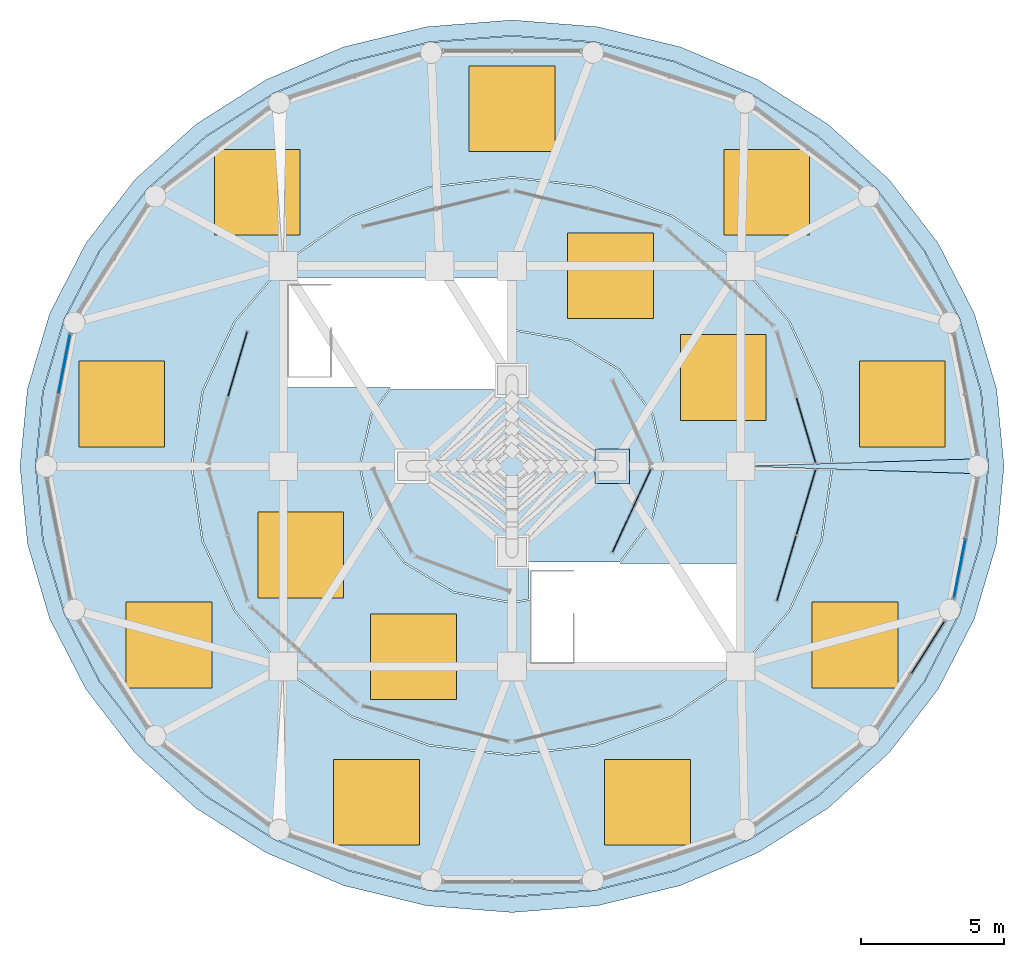
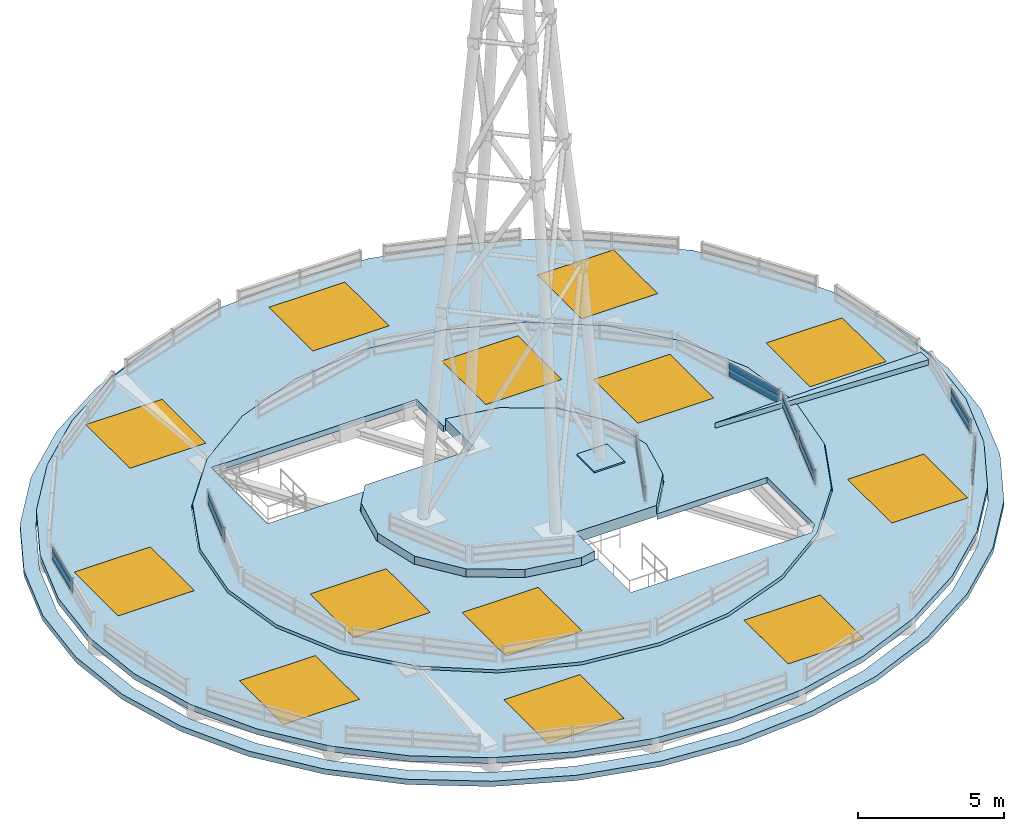
# One storey, part 19 of 21: 17 plates, 13 windows, 5 slabs, 13 openings, 7 elements without a shape of their own.
"""IFC4 building model written with IfcOpenShell, lengths in metres."""

import ifcopenshell
import ifcopenshell.guid

model = None  # the IFC model being written
_history = None  # IfcOwnerHistory: only IFC2X3 demands one
_inside = {}  # id of a spatial element -> (the spatial element, [elements in it])
_under = {}  # id of a project, library or spatial element -> (it, [spatial elements below it])
_declared = {}  # id of a project -> (the project, [libraries it declares])
_typed = {}  # id of a type object -> (the type object, [elements of that type])
_made_of = {}  # id of a material, layer set ... -> (it, [elements and type objects made of it])


def new_model(schema):
    """Start an empty IFC model of exactly this schema.

    Asked for "IFC4X3", IfcOpenShell would pick the latest addendum, in which some entities
    have other attributes; the version numbers below select the first issue.
    IFC2X3 requires an IfcOwnerHistory on every rooted entity: one is made here for all.
    """
    global model, _history
    if schema == "IFC4X3":
        model = ifcopenshell.file(schema_version=(4, 3, 0, 0))
    else:
        model = ifcopenshell.file(schema=schema)
    _inside.clear()
    _under.clear()
    _declared.clear()
    _typed.clear()
    _made_of.clear()
    _history = None
    if model.schema == "IFC2X3":
        org = make("IfcOrganization", Name="unknown")
        user = make(
            "IfcPersonAndOrganization",
            ThePerson=make("IfcPerson", FamilyName="unknown"),
            TheOrganization=org,
        )
        app = make(
            "IfcApplication",
            ApplicationDeveloper=org,
            Version="unknown",
            ApplicationFullName="unknown",
            ApplicationIdentifier="unknown",
        )
        _history = make(
            "IfcOwnerHistory",
            OwningUser=user,
            OwningApplication=app,
            ChangeAction="ADDED",
            CreationDate=0,
        )
    return model


def make(cls, **values):
    """One entity of the class cls with the attributes given. An attribute that is None is left unset."""
    return model.create_entity(
        cls, **{name: value for name, value in values.items() if value is not None}
    )


def rooted(cls, **values):
    """An entity with a GlobalId (a new one), such as an element, a storey or a relation."""
    return make(cls, GlobalId=ifcopenshell.guid.new(), OwnerHistory=_history, **values)


def si_unit(unit_type, name, prefix=None):
    """IfcSIUnit, for example si_unit("LENGTHUNIT", "METRE", prefix="MILLI")."""
    return make("IfcSIUnit", UnitType=unit_type, Prefix=prefix, Name=name)


def assignment(units):
    """IfcUnitAssignment: the units of a project."""
    return None if units is None else make("IfcUnitAssignment", Units=units)


def point(xyz):
    """IfcCartesianPoint."""
    return None if xyz is None else make("IfcCartesianPoint", Coordinates=xyz)


def direction(xyz):
    """IfcDirection."""
    return None if xyz is None else make("IfcDirection", DirectionRatios=xyz)


def frame(location, z_axis=None, x_axis=None):
    """IfcAxis2Placement3D, a coordinate frame: its origin and axes. An axis left out is left unset."""
    return make(
        "IfcAxis2Placement3D",
        Location=point(location),
        Axis=direction(z_axis),
        RefDirection=direction(x_axis),
    )


def frame_2d(location, x_axis=None):
    """IfcAxis2Placement2D, a coordinate frame in the plane: its origin and x axis."""
    return make(
        "IfcAxis2Placement2D", Location=point(location), RefDirection=direction(x_axis)
    )


def origin():
    """The frame at (0, 0, 0) with its axes left unset."""
    return frame((0.0, 0.0, 0.0))


def origin_2d():
    """The frame at (0, 0) in the plane with its x axis left unset."""
    return frame_2d((0.0, 0.0))


def place(relative_to, where):
    """IfcLocalPlacement: puts the frame where relative to a parent placement (None: the world)."""
    return make(
        "IfcLocalPlacement", PlacementRelTo=relative_to, RelativePlacement=where
    )


def context(
    kind, dimensions, precision=None, world=None, true_north=None, identifier=None
):
    """IfcGeometricRepresentationContext, for example the 3D "Model" context."""
    return make(
        "IfcGeometricRepresentationContext",
        ContextIdentifier=identifier,
        ContextType=kind,
        CoordinateSpaceDimension=dimensions,
        Precision=precision,
        WorldCoordinateSystem=world,
        TrueNorth=true_north,
    )


def subcontext(parent, identifier, kind, view, scale=None):
    """IfcGeometricRepresentationSubContext, for example "Body" below "Model"."""
    return make(
        "IfcGeometricRepresentationSubContext",
        ContextIdentifier=identifier,
        ContextType=kind,
        ParentContext=parent,
        TargetScale=scale,
        TargetView=view,
    )


def project(units=None, contexts=None):
    """IfcProject with its units and contexts."""
    return rooted(
        "IfcProject",
        Name="project",
        RepresentationContexts=contexts,
        UnitsInContext=assignment(units),
    )


def spatial(cls, under=None, at=None, **own):
    """A site, building, storey or space (cls), placed at a placement, below another one or the project."""
    s = rooted(cls, ObjectPlacement=at, **own)
    if under is not None:
        _under.setdefault(under.id(), (under, []))[1].append(s)
    return s


def polyline(points):
    """IfcPolyline through the points."""
    return make("IfcPolyline", Points=[point(p) for p in points])


def profile(cls, at=None, kind="AREA", **sizes):
    """A parametric profile (cls). Its sizes go by their IFC names, for example OverallWidth=200.0."""
    return make(cls, ProfileType=kind, Position=at, **sizes)


def rectangle(**sizes):
    """IfcRectangleProfileDef."""
    return profile("IfcRectangleProfileDef", **sizes)


def outline(outer, holes=None, kind="AREA"):
    """IfcArbitraryClosedProfileDef: a profile drawn as a closed curve; with holes, ...WithVoids."""
    if holes is None:
        return make("IfcArbitraryClosedProfileDef", ProfileType=kind, OuterCurve=outer)
    return make(
        "IfcArbitraryProfileDefWithVoids",
        ProfileType=kind,
        OuterCurve=outer,
        InnerCurves=holes,
    )


def extrude(swept, where, along, depth):
    """IfcExtrudedAreaSolid: the profile swept, set in the frame where, extruded along a direction by depth."""
    return make(
        "IfcExtrudedAreaSolid",
        SweptArea=swept,
        Position=where,
        ExtrudedDirection=direction(along),
        Depth=depth,
    )


def shape(context_of_items, identifier, shape_type, items):
    """IfcShapeRepresentation: the items that make up one representation, for example the "Body"."""
    return make(
        "IfcShapeRepresentation",
        ContextOfItems=context_of_items,
        RepresentationIdentifier=identifier,
        RepresentationType=shape_type,
        Items=items,
    )


def source(mapping_origin, context_of_items, identifier, shape_type, items):
    """IfcRepresentationMap: a shape defined once, which mapped items show again and again."""
    return make(
        "IfcRepresentationMap",
        MappingOrigin=mapping_origin,
        MappedRepresentation=shape(context_of_items, identifier, shape_type, items),
    )


def transform(
    local_origin,
    x_axis=None,
    y_axis=None,
    z_axis=None,
    scale=None,
    scale2=None,
    scale3=None,
    uniform=True,
):
    """IfcCartesianTransformationOperator3D, or its non-uniform kind. x_axis, y_axis, z_axis: its Axis1, 2, 3."""
    if uniform:
        return make(
            "IfcCartesianTransformationOperator3D",
            Axis1=direction(x_axis),
            Axis2=direction(y_axis),
            LocalOrigin=point(local_origin),
            Scale=scale,
            Axis3=direction(z_axis),
        )
    return make(
        "IfcCartesianTransformationOperator3DnonUniform",
        Axis1=direction(x_axis),
        Axis2=direction(y_axis),
        LocalOrigin=point(local_origin),
        Scale=scale,
        Axis3=direction(z_axis),
        Scale2=scale2,
        Scale3=scale3,
    )


def mapped(mapping_source, mapping_target):
    """IfcMappedItem: shows the shape of a source again, moved by a transform."""
    return make(
        "IfcMappedItem", MappingSource=mapping_source, MappingTarget=mapping_target
    )


def material(Name=None, Category=None):
    """IfcMaterial."""
    return make("IfcMaterial", Name=Name, Category=Category)


def layer(
    of_material, thickness, ventilated=None, Name=None, Category=None, Priority=None
):
    """IfcMaterialLayer: one layer of a wall or slab, of a material (None: an air gap)."""
    return make(
        "IfcMaterialLayer",
        Material=of_material,
        LayerThickness=thickness,
        IsVentilated=ventilated,
        Name=Name,
        Category=Category,
        Priority=Priority,
    )


def layer_set(layers, Name=None):
    """IfcMaterialLayerSet."""
    return make("IfcMaterialLayerSet", MaterialLayers=layers, LayerSetName=Name)


def made_of(thing, what):
    """Note that an element or type object is made of a material, layer set ...; save() writes the relation."""
    if what is not None:
        _made_of.setdefault(what.id(), (what, []))[1].append(thing)
    return thing


def type_object(cls, material=None, **own):
    """A type object (cls), such as IfcWallType, which elements share."""
    return made_of(rooted(cls, **own), material)


def element(
    cls,
    number,
    at=None,
    inside=None,
    cuts=None,
    type_object=None,
    material=None,
    context=None,
    identifier="Body",
    shape_type=None,
    held_by="IfcProductDefinitionShape",
    body=None,
    shapes=None,
    **own,
):
    """One element of the class cls, such as IfcWall. Its Tag is "e" and its number.

    at: its placement. inside: the storey or other place that contains it. cuts: it is an
    opening in that element (IfcRelVoidsElement). A single representation is given by context,
    identifier, shape_type and body (its items); several are given by shapes. held_by: the class
    of the entity that holds the representations. save() writes the other relations.
    """
    e = rooted(cls, Tag="e%d" % number, ObjectPlacement=at, **own)
    if body is not None:
        shapes = [shape(context, identifier, shape_type, body)]
    if shapes is not None:
        e.Representation = make(held_by, Representations=shapes)
    if inside is not None:
        _inside.setdefault(inside.id(), (inside, []))[1].append(e)
    if cuts is not None:
        rooted(
            "IfcRelVoidsElement", RelatingBuildingElement=cuts, RelatedOpeningElement=e
        )
    if type_object is not None:
        _typed.setdefault(type_object.id(), (type_object, []))[1].append(e)
    return made_of(e, material)


def fill(opening, filler):
    """IfcRelFillsElement: the door or window that sits in an opening."""
    return rooted(
        "IfcRelFillsElement",
        RelatingOpeningElement=opening,
        RelatedBuildingElement=filler,
    )


def aggregate(whole, parts):
    """IfcRelAggregates: a whole, such as a stair, and the parts it consists of."""
    return rooted("IfcRelAggregates", RelatingObject=whole, RelatedObjects=parts)


def save(model, path):
    """Write the relations noted so far, then the file.

    IfcRelAggregates (storeys below a building ...), IfcRelContainedInSpatialStructure (elements
    in a storey), IfcRelDefinesByType, IfcRelAssociatesMaterial and IfcRelDeclares: one each for
    every whole, place, type object, material and project.
    """
    for whole, parts in _under.values():
        aggregate(whole, parts)
    for where, things in _inside.values():
        rooted(
            "IfcRelContainedInSpatialStructure",
            RelatedElements=things,
            RelatingStructure=where,
        )
    for kind, things in _typed.values():
        rooted("IfcRelDefinesByType", RelatedObjects=things, RelatingType=kind)
    for what, things in _made_of.values():
        rooted("IfcRelAssociatesMaterial", RelatedObjects=things, RelatingMaterial=what)
    for by, libraries in _declared.values():
        rooted("IfcRelDeclares", RelatingContext=by, RelatedDefinitions=libraries)
    model.write(path)


model = new_model("IFC4")

# Units and contexts
model_context = context("Model", 3, precision=1e-05, world=origin(), true_north=direction((0.0, 1.0)))
body_context = subcontext(model_context, "Body", "Model", "MODEL_VIEW")
ifc_project = project(units=[si_unit("LENGTHUNIT", "METRE"), si_unit("AREAUNIT", "SQUARE_METRE"), si_unit("VOLUMEUNIT", "CUBIC_METRE"), si_unit("PLANEANGLEUNIT", "RADIAN"), si_unit("MASSUNIT", "GRAM", prefix="KILO")], contexts=[model_context])

# Site, building, storey
site_placement = place(None, origin())
site = spatial("IfcSite", under=ifc_project, at=site_placement, CompositionType="ELEMENT")
building_placement = place(site_placement, origin())
building = spatial("IfcBuilding", under=site, at=building_placement, Name="Kelanora Arch Commons", CompositionType="ELEMENT")
storey_placement = place(building_placement, frame((0.0, 0.0, 311.10009765625)))
storey = spatial("IfcBuildingStorey", under=building, at=storey_placement, Name="RF", CompositionType="ELEMENT", Elevation=311.10009765625)

# Slabs
ifc_material_1 = material(Name="Concrete C40/50", Category="concrete")
ifc_layer_1 = layer(ifc_material_1, 0.219970703125)
ifc_layer_set_1 = layer_set([ifc_layer_1], Name="Concrete C40/50")
slab_type_1 = type_object("IfcSlabType", Name="SLB-DRUM-SLOPE", PredefinedType="ROOF", material=ifc_layer_set_1)
slab_1_placement = place(storey_placement, frame((90.280029296875, 58.260009765625, 0.829833984375), z_axis=(0.012088162865, 0.0, 0.99992693549), x_axis=(0.0, -1.0, 0.0)))
element("IfcSlab", 1, at=slab_1_placement, inside=storey, type_object=slab_type_1, Name="Sloped Crown Hip Rib 01A", PredefinedType="ROOF", context=body_context, shape_type="SweptSolid", body=[
    extrude(outline(polyline([(0.0, 0.0), (0.52001953125, 0.0), (0.260009765625, -8.280634317363317), (0.0, 0.0)])), origin(), (0.0, 0.0, -1.0), 0.219970703125),
])
ifc_material_2 = material(Name="Concrete C50/60", Category="concrete")
ifc_layer_2 = layer(ifc_material_2, 0.449951171875)
ifc_layer_set_2 = layer_set([ifc_layer_2], Name="Concrete C50/60")
slab_type_2 = type_object("IfcSlabType", Name="SLB-MAST-CAP", PredefinedType="ROOF", material=ifc_layer_set_2)
slab_2_placement = place(storey_placement, frame((0.0, 0.0, 0.5498046875)))
element("IfcSlab", 2, at=slab_2_placement, inside=storey, type_object=slab_type_2, Name="Crown Mast Collar Cap Slab", PredefinedType="ROOF", context=body_context, shape_type="SweptSolid", body=[
    extrude(outline(polyline([(77.747802734375, 61.35888671875), (76.0283203125, 62.388427734375), (74.110107421875, 62.73046875), (74.110107421875, 60.68994140625), (69.753662109375, 60.68994140625), (69.103515625, 59.817626953125), (68.699951171875, 58.0), (69.103515625, 56.182373046875), (70.252197265625, 54.64111328125), (71.9716796875, 53.611572265625), (74.0, 53.25), (74.590087890625, 53.355224609375), (74.590087890625, 54.659912109375), (77.76171875, 54.659912109375), (78.896484375, 56.182373046875), (79.300048828125, 58.0), (78.896484375, 59.817626953125), (77.747802734375, 61.35888671875)])), origin(), (0.0, 0.0, 1.0), 0.4501953125),
])
ifc_layer_3 = layer(ifc_material_1, 0.239990234375)
ifc_layer_set_3 = layer_set([ifc_layer_3], Name="Concrete C40/50")
slab_type_3 = type_object("IfcSlabType", Name="SLB-MKT-ROOF", PredefinedType="ROOF", material=ifc_layer_set_3)
slab_3_placement = place(storey_placement, frame((0.0, 0.0, -0.22021484375)))
element("IfcSlab", 3, at=slab_3_placement, inside=storey, type_object=slab_type_3, Name="Crown Eaves Lantern Sill Ring", PredefinedType="ROOF", context=body_context, shape_type="SweptSolid", body=[
    extrude(outline(polyline([(91.199951171875, 58.0), (90.938720703125, 60.708984375), (90.16259765625, 63.33544921875), (88.8955078125, 65.800048828125), (87.176025390625, 68.027587890625), (85.055908203125, 69.9501953125), (82.60009765625, 71.510009765625), (79.8828125, 72.6591796875), (76.98681640625, 73.363037109375), (74.0, 73.60009765625), (71.01318359375, 73.363037109375), (68.1171875, 72.6591796875), (65.39990234375, 71.510009765625), (62.944091796875, 69.9501953125), (60.823974609375, 68.027587890625), (59.1044921875, 65.800048828125), (57.83740234375, 63.33544921875), (57.061279296875, 60.708984375), (56.800048828125, 58.0), (57.061279296875, 55.291015625), (57.83740234375, 52.66455078125), (59.1044921875, 50.199951171875), (60.823974609375, 47.972412109375), (62.944091796875, 46.0498046875), (65.39990234375, 44.489990234375), (68.1171875, 43.3408203125), (71.01318359375, 42.636962890625), (74.0, 42.39990234375), (76.98681640625, 42.636962890625), (79.8828125, 43.3408203125), (82.60009765625, 44.489990234375), (85.055908203125, 46.0498046875), (87.176025390625, 47.972412109375), (88.8955078125, 50.199951171875), (90.16259765625, 52.66455078125), (90.938720703125, 55.291015625), (91.199951171875, 58.0)]), holes=[polyline([(90.406982421875, 55.385009765625), (89.6552734375, 52.84912109375), (88.427978515625, 50.469970703125), (86.76220703125, 48.319580078125), (84.708740234375, 46.46337890625), (82.330078125, 44.957763671875), (79.697998046875, 43.84814453125), (76.89306640625, 43.168701171875), (74.0, 42.93994140625), (71.10693359375, 43.168701171875), (68.302001953125, 43.84814453125), (65.669921875, 44.957763671875), (63.291259765625, 46.46337890625), (61.23779296875, 48.319580078125), (59.572021484375, 50.469970703125), (58.3447265625, 52.84912109375), (57.593017578125, 55.385009765625), (57.340087890625, 58.0), (57.593017578125, 60.614990234375), (58.3447265625, 63.15087890625), (59.572021484375, 65.530029296875), (61.23779296875, 67.680419921875), (63.291259765625, 69.53662109375), (65.669921875, 71.042236328125), (68.302001953125, 72.15185546875), (71.10693359375, 72.831298828125), (74.0, 73.06005859375), (76.89306640625, 72.831298828125), (79.697998046875, 72.15185546875), (82.330078125, 71.042236328125), (84.708740234375, 69.53662109375), (86.76220703125, 67.680419921875), (88.427978515625, 65.530029296875), (89.6552734375, 63.15087890625), (90.406982421875, 60.614990234375), (90.659912109375, 58.0), (90.406982421875, 55.385009765625)])]), origin(), (0.0, 0.0, 1.0), 0.22021484375),
])

# Slab, openings, windows
slab_4_placement = place(storey_placement, frame((0.0, 0.0, 0.349853515625)))
slab_4 = element("IfcSlab", 4, at=slab_4_placement, inside=storey, type_object=slab_type_3, Name="Crown Lower Stepped Skylight Roof Ring", PredefinedType="ROOF", context=body_context, shape_type="SweptSolid", body=[
    extrude(outline(polyline([(90.639892578125, 58.0), (90.38720703125, 60.61181640625), (89.636474609375, 63.14404296875), (88.41064453125, 65.52001953125), (86.7470703125, 67.66748046875), (84.696044921875, 69.521240234375), (82.320068359375, 71.02490234375), (79.691162109375, 72.133056640625), (76.889404296875, 72.8115234375), (74.0, 73.0400390625), (71.110595703125, 72.8115234375), (68.308837890625, 72.133056640625), (65.679931640625, 71.02490234375), (63.303955078125, 69.521240234375), (61.2529296875, 67.66748046875), (59.58935546875, 65.52001953125), (58.363525390625, 63.14404296875), (57.61279296875, 60.61181640625), (57.360107421875, 58.0), (57.61279296875, 55.38818359375), (58.363525390625, 52.85595703125), (59.58935546875, 50.47998046875), (61.2529296875, 48.33251953125), (63.303955078125, 46.478759765625), (65.679931640625, 44.97509765625), (68.308837890625, 43.866943359375), (71.110595703125, 43.1884765625), (74.0, 42.9599609375), (76.889404296875, 43.1884765625), (79.691162109375, 43.866943359375), (82.320068359375, 44.97509765625), (84.696044921875, 46.478759765625), (86.7470703125, 48.33251953125), (88.41064453125, 50.47998046875), (89.636474609375, 52.85595703125), (90.38720703125, 55.38818359375), (90.639892578125, 58.0)]), holes=[polyline([(82.10009765625, 51.0), (82.06640625, 51.0), (81.93359375, 50.843994140625), (79.610107421875, 49.23583984375), (76.90380859375, 48.224853515625), (74.0, 47.8798828125), (71.09619140625, 48.224853515625), (68.389892578125, 49.23583984375), (66.06640625, 50.843994140625), (64.283203125, 52.93994140625), (63.162353515625, 55.380859375), (62.780029296875, 58.0), (63.162353515625, 60.619140625), (64.283203125, 63.06005859375), (66.06640625, 65.156005859375), (68.389892578125, 66.76416015625), (71.09619140625, 67.775146484375), (74.0, 68.1201171875), (76.90380859375, 67.775146484375), (79.610107421875, 66.76416015625), (81.93359375, 65.156005859375), (83.716796875, 63.06005859375), (84.837646484375, 60.619140625), (85.219970703125, 58.0), (84.837646484375, 55.380859375), (83.716796875, 52.93994140625), (82.10009765625, 51.03955078125), (82.10009765625, 51.0)])]), origin(), (0.0, 0.0, 1.0), 0.239990234375),
])
opening_1_placement = place(slab_4_placement, frame((87.639892578125, 60.1708984375, 0.0)))
opening_1 = element("IfcOpeningElement", 5, at=opening_1_placement, cuts=slab_4, Name="Opening WS-01", PredefinedType="OPENING", context=body_context, shape_type="SweptSolid", body=[
    extrude(rectangle(XDim=3.0, YDim=3.0, at=origin_2d()), frame((0.0, 0.0, -0.010009765625)), (0.0, 0.0, 1.0), 0.260009765625),
])
opening_2_placement = place(slab_4_placement, frame((82.903076171875, 67.575927734375, 0.0)))
opening_2 = element("IfcOpeningElement", 6, at=opening_2_placement, cuts=slab_4, Name="Opening WS-01", PredefinedType="OPENING", context=body_context, shape_type="SweptSolid", body=[
    extrude(rectangle(XDim=3.0, YDim=3.0, at=origin_2d()), frame((0.0, 0.0, -0.010009765625)), (0.0, 0.0, 1.0), 0.260009765625),
])
opening_3_placement = place(slab_4_placement, frame((74.0, 70.5, 0.0)))
opening_3 = element("IfcOpeningElement", 7, at=opening_3_placement, cuts=slab_4, Name="Opening WS-01", PredefinedType="OPENING", context=body_context, shape_type="SweptSolid", body=[
    extrude(rectangle(XDim=3.0, YDim=3.0, at=origin_2d()), frame((0.0, 0.0, -0.010009765625)), (0.0, 0.0, 1.0), 0.260009765625),
])
opening_4_placement = place(slab_4_placement, frame((65.096923828125, 67.575927734375, 0.0)))
opening_4 = element("IfcOpeningElement", 8, at=opening_4_placement, cuts=slab_4, Name="Opening WS-01", PredefinedType="OPENING", context=body_context, shape_type="SweptSolid", body=[
    extrude(rectangle(XDim=3.0, YDim=3.0, at=origin_2d()), frame((0.0, 0.0, -0.010009765625)), (0.0, 0.0, 1.0), 0.260009765625),
])
opening_5_placement = place(slab_4_placement, frame((60.360107421875, 60.1708984375, 0.0)))
opening_5 = element("IfcOpeningElement", 9, at=opening_5_placement, cuts=slab_4, Name="Opening WS-01", PredefinedType="OPENING", context=body_context, shape_type="SweptSolid", body=[
    extrude(rectangle(XDim=3.0, YDim=3.0, at=origin_2d()), frame((0.0, 0.0, -0.010009765625)), (0.0, 0.0, 1.0), 0.260009765625),
])
opening_6_placement = place(slab_4_placement, frame((62.006103515625, 51.75, 0.0)))
opening_6 = element("IfcOpeningElement", 10, at=opening_6_placement, cuts=slab_4, Name="Opening WS-01", PredefinedType="OPENING", context=body_context, shape_type="SweptSolid", body=[
    extrude(rectangle(XDim=3.0, YDim=3.0, at=origin_2d()), frame((0.0, 0.0, -0.010009765625)), (0.0, 0.0, 1.0), 0.260009765625),
])
opening_7_placement = place(slab_4_placement, frame((69.262939453125, 46.25390625, 0.0)))
opening_7 = element("IfcOpeningElement", 11, at=opening_7_placement, cuts=slab_4, Name="Opening WS-01", PredefinedType="OPENING", context=body_context, shape_type="SweptSolid", body=[
    extrude(rectangle(XDim=3.0, YDim=3.0, at=origin_2d()), frame((0.0, 0.0, -0.010009765625)), (0.0, 0.0, 1.0), 0.260009765625),
])
opening_8_placement = place(slab_4_placement, frame((78.737060546875, 46.25390625, 0.0)))
opening_8 = element("IfcOpeningElement", 12, at=opening_8_placement, cuts=slab_4, Name="Opening WS-01", PredefinedType="OPENING", context=body_context, shape_type="SweptSolid", body=[
    extrude(rectangle(XDim=3.0, YDim=3.0, at=origin_2d()), frame((0.0, 0.0, -0.010009765625)), (0.0, 0.0, 1.0), 0.260009765625),
])
opening_9_placement = place(slab_4_placement, frame((85.993896484375, 51.75, 0.0)))
opening_9 = element("IfcOpeningElement", 13, at=opening_9_placement, cuts=slab_4, Name="Opening WS-01", PredefinedType="OPENING", context=body_context, shape_type="SweptSolid", body=[
    extrude(rectangle(XDim=3.0, YDim=3.0, at=origin_2d()), frame((0.0, 0.0, -0.010009765625)), (0.0, 0.0, 1.0), 0.260009765625),
])
ifc_material_3 = material(Name="Laminated solar-control glass skylight", Category="glass")
window_type = type_object("IfcWindowType", Name="WIN-SKY-30", PartitioningType="SINGLE_PANEL", PredefinedType="SKYLIGHT", material=ifc_material_3)
window_1_placement = place(opening_1_placement, frame((0.0, 0.0, 0.18994140625)))
window_1 = element("IfcWindow", 14, at=window_1_placement, inside=storey, type_object=window_type, Name="Crown Glass Roof Lower Skylight 01", OverallHeight=3.0, OverallWidth=3.0, PartitioningType="SINGLE_PANEL", PredefinedType="SKYLIGHT", context=body_context, shape_type="SweptSolid", body=[
    extrude(rectangle(XDim=3.0, YDim=3.0, at=origin_2d()), origin(), (0.0, 0.0, 1.0), 0.050048828125),
])
fill(opening_1, window_1)
window_2_placement = place(opening_2_placement, frame((0.0, 0.0, 0.18994140625)))
window_2 = element("IfcWindow", 15, at=window_2_placement, inside=storey, type_object=window_type, Name="Crown Glass Roof Lower Skylight 02", OverallHeight=3.0, OverallWidth=3.0, PartitioningType="SINGLE_PANEL", PredefinedType="SKYLIGHT", context=body_context, shape_type="SweptSolid", body=[
    extrude(rectangle(XDim=3.0, YDim=3.0, at=origin_2d()), origin(), (0.0, 0.0, 1.0), 0.050048828125),
])
fill(opening_2, window_2)
window_3_placement = place(opening_3_placement, frame((0.0, 0.0, 0.18994140625)))
window_3 = element("IfcWindow", 16, at=window_3_placement, inside=storey, type_object=window_type, Name="Crown Glass Roof Lower Skylight 03", OverallHeight=3.0, OverallWidth=3.0, PartitioningType="SINGLE_PANEL", PredefinedType="SKYLIGHT", context=body_context, shape_type="SweptSolid", body=[
    extrude(rectangle(XDim=3.0, YDim=3.0, at=origin_2d()), origin(), (0.0, 0.0, 1.0), 0.050048828125),
])
fill(opening_3, window_3)
window_4_placement = place(opening_4_placement, frame((0.0, 0.0, 0.18994140625)))
window_4 = element("IfcWindow", 17, at=window_4_placement, inside=storey, type_object=window_type, Name="Crown Glass Roof Lower Skylight 04", OverallHeight=3.0, OverallWidth=3.0, PartitioningType="SINGLE_PANEL", PredefinedType="SKYLIGHT", context=body_context, shape_type="SweptSolid", body=[
    extrude(rectangle(XDim=3.0, YDim=3.0, at=origin_2d()), origin(), (0.0, 0.0, 1.0), 0.050048828125),
])
fill(opening_4, window_4)
window_5_placement = place(opening_5_placement, frame((0.0, 0.0, 0.18994140625)))
window_5 = element("IfcWindow", 18, at=window_5_placement, inside=storey, type_object=window_type, Name="Crown Glass Roof Lower Skylight 05", OverallHeight=3.0, OverallWidth=3.0, PartitioningType="SINGLE_PANEL", PredefinedType="SKYLIGHT", context=body_context, shape_type="SweptSolid", body=[
    extrude(rectangle(XDim=3.0, YDim=3.0, at=origin_2d()), origin(), (0.0, 0.0, 1.0), 0.050048828125),
])
fill(opening_5, window_5)
window_6_placement = place(opening_6_placement, frame((0.0, 0.0, 0.18994140625)))
window_6 = element("IfcWindow", 19, at=window_6_placement, inside=storey, type_object=window_type, Name="Crown Glass Roof Lower Skylight 06", OverallHeight=3.0, OverallWidth=3.0, PartitioningType="SINGLE_PANEL", PredefinedType="SKYLIGHT", context=body_context, shape_type="SweptSolid", body=[
    extrude(rectangle(XDim=3.0, YDim=3.0, at=origin_2d()), origin(), (0.0, 0.0, 1.0), 0.050048828125),
])
fill(opening_6, window_6)
window_7_placement = place(opening_7_placement, frame((0.0, 0.0, 0.18994140625)))
window_7 = element("IfcWindow", 20, at=window_7_placement, inside=storey, type_object=window_type, Name="Crown Glass Roof Lower Skylight 07", OverallHeight=3.0, OverallWidth=3.0, PartitioningType="SINGLE_PANEL", PredefinedType="SKYLIGHT", context=body_context, shape_type="SweptSolid", body=[
    extrude(rectangle(XDim=3.0, YDim=3.0, at=origin_2d()), origin(), (0.0, 0.0, 1.0), 0.050048828125),
])
fill(opening_7, window_7)
window_8_placement = place(opening_8_placement, frame((0.0, 0.0, 0.18994140625)))
window_8 = element("IfcWindow", 21, at=window_8_placement, inside=storey, type_object=window_type, Name="Crown Glass Roof Lower Skylight 08", OverallHeight=3.0, OverallWidth=3.0, PartitioningType="SINGLE_PANEL", PredefinedType="SKYLIGHT", context=body_context, shape_type="SweptSolid", body=[
    extrude(rectangle(XDim=3.0, YDim=3.0, at=origin_2d()), origin(), (0.0, 0.0, 1.0), 0.050048828125),
])
fill(opening_8, window_8)
window_9_placement = place(opening_9_placement, frame((0.0, 0.0, 0.18994140625)))
window_9 = element("IfcWindow", 22, at=window_9_placement, inside=storey, type_object=window_type, Name="Crown Glass Roof Lower Skylight 09", OverallHeight=3.0, OverallWidth=3.0, PartitioningType="SINGLE_PANEL", PredefinedType="SKYLIGHT", context=body_context, shape_type="SweptSolid", body=[
    extrude(rectangle(XDim=3.0, YDim=3.0, at=origin_2d()), origin(), (0.0, 0.0, 1.0), 0.050048828125),
])
fill(opening_9, window_9)

slab_5_placement = place(storey_placement, frame((0.0, 0.0, 0.449951171875)))
slab_5 = element("IfcSlab", 23, at=slab_5_placement, inside=storey, type_object=slab_type_3, Name="Crown Upper Stepped Skylight Collar Deck", PredefinedType="ROOF", context=body_context, shape_type="SweptSolid", body=[
    extrude(outline(polyline([(85.179931640625, 58.0), (84.799072265625, 60.60888671875), (83.68212890625, 63.0400390625), (81.905517578125, 65.127685546875), (79.590087890625, 66.7294921875), (76.8935546875, 67.736572265625), (74.0, 68.080078125), (71.1064453125, 67.736572265625), (68.409912109375, 66.7294921875), (66.094482421875, 65.127685546875), (64.31787109375, 63.0400390625), (63.200927734375, 60.60888671875), (62.820068359375, 58.0), (63.200927734375, 55.39111328125), (64.31787109375, 52.9599609375), (66.094482421875, 50.872314453125), (68.409912109375, 49.2705078125), (71.1064453125, 48.263427734375), (74.0, 47.919921875), (76.8935546875, 48.263427734375), (79.590087890625, 49.2705078125), (81.905517578125, 50.872314453125), (83.68212890625, 52.9599609375), (84.799072265625, 55.39111328125), (85.179931640625, 58.0)]), holes=[polyline([(74.64990234375, 53.325927734375), (74.0, 53.2099609375), (71.95654296875, 53.57470703125), (70.22412109375, 54.613037109375), (69.06640625, 56.1669921875), (68.659912109375, 58.0), (69.06640625, 59.8330078125), (69.74951171875, 60.75), (65.949951171875, 60.75), (65.949951171875, 64.60009765625), (74.050048828125, 64.60009765625), (74.050048828125, 62.781005859375), (76.04345703125, 62.42529296875), (77.77587890625, 61.386962890625), (78.93359375, 59.8330078125), (79.340087890625, 58.0), (78.93359375, 56.1669921875), (77.77587890625, 54.613037109375), (77.75439453125, 54.60009765625), (82.10009765625, 54.60009765625), (82.10009765625, 51.378662109375), (81.78369140625, 51.007080078125), (81.773681640625, 51.0), (74.64990234375, 51.0), (74.64990234375, 53.325927734375)])]), origin(), (0.0, 0.0, 1.0), 0.239990234375),
])
opening_10_placement = place(slab_5_placement, frame((81.385986328125, 61.10595703125, 0.0)))
opening_10 = element("IfcOpeningElement", 24, at=opening_10_placement, cuts=slab_5, Name="Opening WS-01", PredefinedType="OPENING", context=body_context, shape_type="SweptSolid", body=[
    extrude(rectangle(XDim=3.0, YDim=3.0, at=origin_2d()), frame((0.0, 0.0, -0.010009765625)), (0.0, 0.0, 1.0), 0.260009765625),
])
opening_11_placement = place(slab_5_placement, frame((77.444091796875, 64.660888671875, 0.0)))
opening_11 = element("IfcOpeningElement", 25, at=opening_11_placement, cuts=slab_5, Name="Opening WS-01", PredefinedType="OPENING", context=body_context, shape_type="SweptSolid", body=[
    extrude(rectangle(XDim=3.0, YDim=3.0, at=origin_2d()), frame((0.0, 0.0, -0.010009765625)), (0.0, 0.0, 1.0), 0.260009765625),
])
opening_12_placement = place(slab_5_placement, frame((66.614013671875, 54.89404296875, 0.0)))
opening_12 = element("IfcOpeningElement", 26, at=opening_12_placement, cuts=slab_5, Name="Opening WS-01", PredefinedType="OPENING", context=body_context, shape_type="SweptSolid", body=[
    extrude(rectangle(XDim=3.0, YDim=3.0, at=origin_2d()), frame((0.0, 0.0, -0.010009765625)), (0.0, 0.0, 1.0), 0.260009765625),
])
opening_13_placement = place(slab_5_placement, frame((70.555908203125, 51.339111328125, 0.0)))
opening_13 = element("IfcOpeningElement", 27, at=opening_13_placement, cuts=slab_5, Name="Opening WS-01", PredefinedType="OPENING", context=body_context, shape_type="SweptSolid", body=[
    extrude(rectangle(XDim=3.0, YDim=3.0, at=origin_2d()), frame((0.0, 0.0, -0.010009765625)), (0.0, 0.0, 1.0), 0.260009765625),
])
window_10_placement = place(opening_10_placement, frame((0.0, 0.0, 0.18994140625)))
window_10 = element("IfcWindow", 28, at=window_10_placement, inside=storey, type_object=window_type, Name="Crown Glass Roof Upper Skylight 01", OverallHeight=3.0, OverallWidth=3.0, PartitioningType="SINGLE_PANEL", PredefinedType="SKYLIGHT", context=body_context, shape_type="SweptSolid", body=[
    extrude(rectangle(XDim=3.0, YDim=3.0, at=origin_2d()), origin(), (0.0, 0.0, 1.0), 0.050048828125),
])
fill(opening_10, window_10)
window_11_placement = place(opening_11_placement, frame((0.0, 0.0, 0.18994140625)))
window_11 = element("IfcWindow", 29, at=window_11_placement, inside=storey, type_object=window_type, Name="Crown Glass Roof Upper Skylight 02", OverallHeight=3.0, OverallWidth=3.0, PartitioningType="SINGLE_PANEL", PredefinedType="SKYLIGHT", context=body_context, shape_type="SweptSolid", body=[
    extrude(rectangle(XDim=3.0, YDim=3.0, at=origin_2d()), origin(), (0.0, 0.0, 1.0), 0.050048828125),
])
fill(opening_11, window_11)
window_12_placement = place(opening_12_placement, frame((0.0, 0.0, 0.18994140625)))
window_12 = element("IfcWindow", 30, at=window_12_placement, inside=storey, type_object=window_type, Name="Crown Glass Roof Upper Skylight 03", OverallHeight=3.0, OverallWidth=3.0, PartitioningType="SINGLE_PANEL", PredefinedType="SKYLIGHT", context=body_context, shape_type="SweptSolid", body=[
    extrude(rectangle(XDim=3.0, YDim=3.0, at=origin_2d()), origin(), (0.0, 0.0, 1.0), 0.050048828125),
])
fill(opening_12, window_12)
window_13_placement = place(opening_13_placement, frame((0.0, 0.0, 0.18994140625)))
window_13 = element("IfcWindow", 31, at=window_13_placement, inside=storey, type_object=window_type, Name="Crown Glass Roof Upper Skylight 04", OverallHeight=3.0, OverallWidth=3.0, PartitioningType="SINGLE_PANEL", PredefinedType="SKYLIGHT", context=body_context, shape_type="SweptSolid", body=[
    extrude(rectangle(XDim=3.0, YDim=3.0, at=origin_2d()), origin(), (0.0, 0.0, 1.0), 0.050048828125),
])
fill(opening_13, window_13)

# Plate
ifc_material_4 = material(Name="Steel S355", Category="steel")
ifc_layer_4 = layer(ifc_material_4, 0.06005859375)
ifc_layer_set_4 = layer_set([ifc_layer_4], Name="Steel S355")
plate_type_1 = type_object("IfcPlateType", Name="PLT-MAST-BASE", PredefinedType="SHEET", material=ifc_layer_set_4)
shared_shape_1 = source(origin(), body_context, "Body", "SweptSolid", [
    extrude(rectangle(XDim=1.199951171875, YDim=1.199951171875, at=origin_2d()), origin(), (0.0, 0.0, 1.0), 0.06005859375),
])
plate_1_placement = place(storey_placement, frame((77.5, 58.0, 0.999755859375), z_axis=(0.0, 0.0, 1.0), x_axis=(1.0, 0.0, 0.0)))
element("IfcPlate", 32, at=plate_1_placement, inside=storey, type_object=plate_type_1, Name="Broadcast Mast Base Plate 02", PredefinedType="SHEET", context=body_context, shape_type="MappedRepresentation", body=[
    mapped(shared_shape_1, transform((0.0, 0.0, 0.0), scale=1.0)),
])

# Curtain wall, plates
ifc_material_5 = material(Name="Terracotta ceramic-fritted low-E glass and aluminium", Category="masonry")
ifc_layer_5 = layer(ifc_material_5, 0.14990234375)
ifc_layer_set_5 = layer_set([ifc_layer_5], Name="Terracotta ceramic-fritted low-E glass and aluminium")
curtain_wall_type = type_object("IfcCurtainWallType", Name="CW-SYS-06", PredefinedType="NOTDEFINED", material=ifc_layer_set_5)
curtain_wall_1_placement = place(storey_placement, origin())
curtain_wall_1 = element("IfcCurtainWall", 33, at=curtain_wall_1_placement, inside=storey, type_object=curtain_wall_type, Name="Sloped Glass Crown Lantern T1-09", PredefinedType="NOTDEFINED")
ifc_material_6 = material(Name="Clear laminated solar-control double glazing", Category="glass")
ifc_layer_6 = layer(ifc_material_6, 0.033935546875)
ifc_layer_set_6 = layer_set([ifc_layer_6], Name="Clear laminated solar-control double glazing")
plate_type_2 = type_object("IfcPlateType", Name="CWP-CLR", PredefinedType="CURTAIN_PANEL", material=ifc_layer_set_6)
shared_shape_2 = source(origin(), body_context, "Body", "SweptSolid", [
    extrude(rectangle(XDim=2.080078125, YDim=0.033935546875, at=origin_2d()), origin(), (0.0, 0.0, 1.0), 0.260009765625),
])
plate_2_placement = place(storey_placement, frame((58.348388671875, 61.572509765625, 0.64990234375), z_axis=(0.0, 0.0, 1.0), x_axis=(-0.191834076021, -0.98142737239, 0.0)))
plate_2 = element("IfcPlate", 34, at=plate_2_placement, type_object=plate_type_2, Name="CW-06 panel 1.1", PredefinedType="CURTAIN_PANEL", context=body_context, shape_type="MappedRepresentation", body=[
    mapped(shared_shape_2, transform((0.0, 0.0, 0.0), scale=1.0)),
])
plate_3_placement = place(storey_placement, frame((58.348388671875, 61.572509765625, 0.9697265625), z_axis=(0.0, 0.0, 1.0), x_axis=(-0.191834076021, -0.98142737239, 0.0)))
plate_3 = element("IfcPlate", 35, at=plate_3_placement, type_object=plate_type_2, Name="CW-06 panel 1.2", PredefinedType="CURTAIN_PANEL", context=body_context, shape_type="MappedRepresentation", body=[
    mapped(shared_shape_2, transform((0.0, 0.0, 0.0), scale=1.0)),
])
aggregate(curtain_wall_1, [plate_2, plate_3])

curtain_wall_2_placement = place(storey_placement, origin())
curtain_wall_2 = element("IfcCurtainWall", 36, at=curtain_wall_2_placement, inside=storey, type_object=curtain_wall_type, Name="Sloped Glass Crown Lantern T1-18", PredefinedType="NOTDEFINED")
plate_4_placement = place(storey_placement, frame((89.651611328125, 54.427490234375, 0.64990234375), z_axis=(0.0, 0.0, 1.0), x_axis=(0.191834076021, 0.98142737239, 0.0)))
plate_4 = element("IfcPlate", 37, at=plate_4_placement, type_object=plate_type_2, Name="CW-06 panel 1.1", PredefinedType="CURTAIN_PANEL", context=body_context, shape_type="MappedRepresentation", body=[
    mapped(shared_shape_2, transform((0.0, 0.0, 0.0), scale=1.0)),
])
plate_5_placement = place(storey_placement, frame((89.651611328125, 54.427490234375, 0.9697265625), z_axis=(0.0, 0.0, 1.0), x_axis=(0.191834076021, 0.98142737239, 0.0)))
plate_5 = element("IfcPlate", 38, at=plate_5_placement, type_object=plate_type_2, Name="CW-06 panel 1.2", PredefinedType="CURTAIN_PANEL", context=body_context, shape_type="MappedRepresentation", body=[
    mapped(shared_shape_2, transform((0.0, 0.0, 0.0), scale=1.0)),
])
aggregate(curtain_wall_2, [plate_4, plate_5])

curtain_wall_3_placement = place(storey_placement, origin())
curtain_wall_3 = element("IfcCurtainWall", 39, at=curtain_wall_3_placement, inside=storey, type_object=curtain_wall_type, Name="Sloped Glass Crown Lantern T1-17", PredefinedType="NOTDEFINED")
shared_shape_3 = source(origin(), body_context, "Body", "SweptSolid", [
    extrude(rectangle(XDim=2.1435546875, YDim=0.033935546875, at=origin_2d()), origin(), (0.0, 0.0, 1.0), 0.260009765625),
])
plate_6_placement = place(storey_placement, frame((88.538330078125, 51.6650390625, 0.64990234375), z_axis=(0.0, 0.0, 1.0), x_axis=(0.539053696421, 0.842271400663, 0.0)))
plate_6 = element("IfcPlate", 40, at=plate_6_placement, type_object=plate_type_2, Name="CW-06 panel 2.1", PredefinedType="CURTAIN_PANEL", context=body_context, shape_type="MappedRepresentation", body=[
    mapped(shared_shape_3, transform((0.0, 0.0, 0.0), scale=1.0)),
])
plate_7_placement = place(storey_placement, frame((88.538330078125, 51.6650390625, 0.9697265625), z_axis=(0.0, 0.0, 1.0), x_axis=(0.539053696421, 0.842271400663, 0.0)))
plate_7 = element("IfcPlate", 41, at=plate_7_placement, type_object=plate_type_2, Name="CW-06 panel 2.2", PredefinedType="CURTAIN_PANEL", context=body_context, shape_type="MappedRepresentation", body=[
    mapped(shared_shape_3, transform((0.0, 0.0, 0.0), scale=1.0)),
])
aggregate(curtain_wall_3, [plate_6, plate_7])

curtain_wall_4_placement = place(storey_placement, origin())
curtain_wall_4 = element("IfcCurtainWall", 42, at=curtain_wall_4_placement, inside=storey, type_object=curtain_wall_type, Name="Sloped Glass Crown Lantern T2-01", PredefinedType="NOTDEFINED")
shared_shape_4 = source(origin(), body_context, "Body", "SweptSolid", [
    extrude(rectangle(XDim=2.345703125, YDim=0.033935546875, at=origin_2d()), origin(), (0.0, 0.0, 1.0), 0.260009765625),
])
plate_8_placement = place(storey_placement, frame((84.277587890625, 59.259033203125, 0.75), z_axis=(0.0, 0.0, 1.0), x_axis=(-0.283564103379, 0.958953283156, 0.0)))
plate_8 = element("IfcPlate", 43, at=plate_8_placement, type_object=plate_type_2, Name="CW-06 panel 1.1", PredefinedType="CURTAIN_PANEL", context=body_context, shape_type="MappedRepresentation", body=[
    mapped(shared_shape_4, transform((0.0, 0.0, 0.0), scale=1.0)),
])
plate_9_placement = place(storey_placement, frame((84.277587890625, 59.259033203125, 1.06982421875), z_axis=(0.0, 0.0, 1.0), x_axis=(-0.283564103379, 0.958953283156, 0.0)))
plate_9 = element("IfcPlate", 44, at=plate_9_placement, type_object=plate_type_2, Name="CW-06 panel 1.2", PredefinedType="CURTAIN_PANEL", context=body_context, shape_type="MappedRepresentation", body=[
    mapped(shared_shape_4, transform((0.0, 0.0, 0.0), scale=1.0)),
])
aggregate(curtain_wall_4, [plate_8, plate_9])

curtain_wall_5_placement = place(storey_placement, origin())
curtain_wall_5 = element("IfcCurtainWall", 45, at=curtain_wall_5_placement, inside=storey, type_object=curtain_wall_type, Name="Sloped Glass Crown Lantern T2-06", PredefinedType="NOTDEFINED")
plate_10_placement = place(storey_placement, frame((64.404541015625, 61.56591796875, 0.75), z_axis=(0.0, 0.0, 1.0), x_axis=(-0.283564103379, -0.958953283156, 0.0)))
plate_10 = element("IfcPlate", 46, at=plate_10_placement, type_object=plate_type_2, Name="CW-06 panel 1.1", PredefinedType="CURTAIN_PANEL", context=body_context, shape_type="MappedRepresentation", body=[
    mapped(shared_shape_4, transform((0.0, 0.0, 0.0), scale=1.0)),
])
plate_11_placement = place(storey_placement, frame((64.404541015625, 61.56591796875, 1.06982421875), z_axis=(0.0, 0.0, 1.0), x_axis=(-0.283564103379, -0.958953283156, 0.0)))
plate_11 = element("IfcPlate", 47, at=plate_11_placement, type_object=plate_type_2, Name="CW-06 panel 1.2", PredefinedType="CURTAIN_PANEL", context=body_context, shape_type="MappedRepresentation", body=[
    mapped(shared_shape_4, transform((0.0, 0.0, 0.0), scale=1.0)),
])
aggregate(curtain_wall_5, [plate_10, plate_11])

curtain_wall_6_placement = place(storey_placement, origin())
curtain_wall_6 = element("IfcCurtainWall", 48, at=curtain_wall_6_placement, inside=storey, type_object=curtain_wall_type, Name="Sloped Glass Crown Lantern T2-12", PredefinedType="NOTDEFINED")
plate_12_placement = place(storey_placement, frame((83.595458984375, 54.43408203125, 0.75), z_axis=(0.0, 0.0, 1.0), x_axis=(0.283564103379, 0.958953283156, 0.0)))
plate_12 = element("IfcPlate", 49, at=plate_12_placement, type_object=plate_type_2, Name="CW-06 panel 1.1", PredefinedType="CURTAIN_PANEL", context=body_context, shape_type="MappedRepresentation", body=[
    mapped(shared_shape_4, transform((0.0, 0.0, 0.0), scale=1.0)),
])
plate_13_placement = place(storey_placement, frame((83.595458984375, 54.43408203125, 1.06982421875), z_axis=(0.0, 0.0, 1.0), x_axis=(0.283564103379, 0.958953283156, 0.0)))
plate_13 = element("IfcPlate", 50, at=plate_13_placement, type_object=plate_type_2, Name="CW-06 panel 1.2", PredefinedType="CURTAIN_PANEL", context=body_context, shape_type="MappedRepresentation", body=[
    mapped(shared_shape_4, transform((0.0, 0.0, 0.0), scale=1.0)),
])
plate_14_placement = place(storey_placement, frame((84.277587890625, 56.740966796875, 0.75), z_axis=(0.0, 0.0, 1.0), x_axis=(0.283564103379, 0.958953283156, 0.0)))
plate_14 = element("IfcPlate", 51, at=plate_14_placement, type_object=plate_type_2, Name="CW-06 panel 2.1", PredefinedType="CURTAIN_PANEL", context=body_context, shape_type="MappedRepresentation", body=[
    mapped(shared_shape_4, transform((0.0, 0.0, 0.0), scale=1.0)),
])
plate_15_placement = place(storey_placement, frame((84.277587890625, 56.740966796875, 1.06982421875), z_axis=(0.0, 0.0, 1.0), x_axis=(0.283564103379, 0.958953283156, 0.0)))
plate_15 = element("IfcPlate", 52, at=plate_15_placement, type_object=plate_type_2, Name="CW-06 panel 2.2", PredefinedType="CURTAIN_PANEL", context=body_context, shape_type="MappedRepresentation", body=[
    mapped(shared_shape_4, transform((0.0, 0.0, 0.0), scale=1.0)),
])
aggregate(curtain_wall_6, [plate_12, plate_13, plate_14, plate_15])

curtain_wall_7_placement = place(storey_placement, origin())
curtain_wall_7 = element("IfcCurtainWall", 53, at=curtain_wall_7_placement, inside=storey, type_object=curtain_wall_type, Name="Sloped Glass Crown Lantern T3-08", PredefinedType="NOTDEFINED")
shared_shape_5 = source(origin(), body_context, "Body", "SweptSolid", [
    extrude(rectangle(XDim=3.186279296875, YDim=0.033935546875, at=origin_2d()), origin(), (0.0, 0.0, 1.0), 0.260009765625),
])
plate_16_placement = place(storey_placement, frame((78.182373046875, 56.4443359375, 1.06005859375), z_axis=(0.0, 0.0, 1.0), x_axis=(0.418889389916, 0.908037267416, 0.0)))
plate_16 = element("IfcPlate", 54, at=plate_16_placement, type_object=plate_type_2, Name="CW-06 panel 1.1", PredefinedType="CURTAIN_PANEL", context=body_context, shape_type="MappedRepresentation", body=[
    mapped(shared_shape_5, transform((0.0, 0.0, 0.0), scale=1.0)),
])
plate_17_placement = place(storey_placement, frame((78.182373046875, 56.4443359375, 1.3798828125), z_axis=(0.0, 0.0, 1.0), x_axis=(0.418889389916, 0.908037267416, 0.0)))
plate_17 = element("IfcPlate", 55, at=plate_17_placement, type_object=plate_type_2, Name="CW-06 panel 1.2", PredefinedType="CURTAIN_PANEL", context=body_context, shape_type="MappedRepresentation", body=[
    mapped(shared_shape_5, transform((0.0, 0.0, 0.0), scale=1.0)),
])
aggregate(curtain_wall_7, [plate_16, plate_17])

save(model, "model.ifc")
